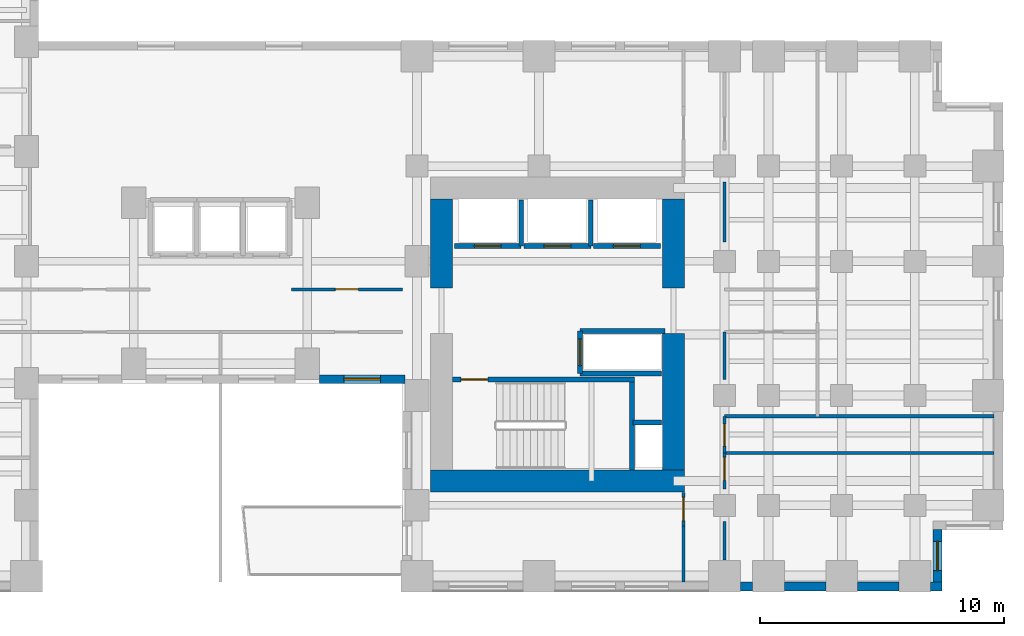
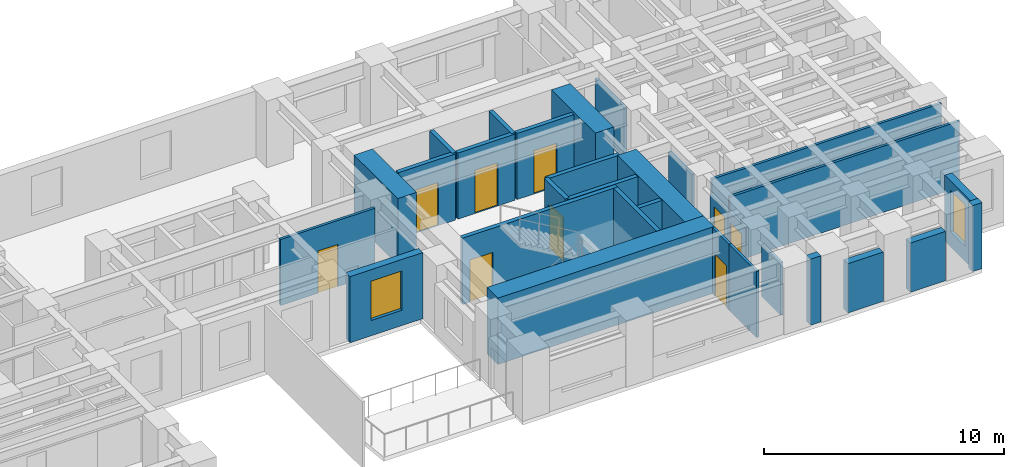
# One storey, part 7 of 13: 31 walls, 9 doors, 2 windows, 11 openings.
"""IFC4 building model written with IfcOpenShell, lengths in metres."""

from ifc_helpers import new_model, si_unit, direction, frame, frame_2d, origin, place, context, subcontext, project, spatial, rectangle, extrude, source, transform, mapped, material, layer, layer_set, type_object, element, fill, save


model = new_model("IFC4")

# Units and contexts
model_context = context("Model", 3, precision=1e-05, world=origin(), true_north=direction((0.0, 1.0)))
body_context = subcontext(model_context, "Body", "Model", "MODEL_VIEW")
ifc_project = project(units=[si_unit("LENGTHUNIT", "METRE"), si_unit("AREAUNIT", "SQUARE_METRE"), si_unit("VOLUMEUNIT", "CUBIC_METRE"), si_unit("PLANEANGLEUNIT", "RADIAN"), si_unit("MASSUNIT", "GRAM", prefix="KILO")], contexts=[model_context])

# Site, building, storey
site_placement = place(None, origin())
site = spatial("IfcSite", under=ifc_project, at=site_placement, CompositionType="ELEMENT")
building_placement = place(site_placement, origin())
building = spatial("IfcBuilding", under=site, at=building_placement, Name="Kharzan Plaza Tower", CompositionType="ELEMENT")
storey_placement = place(building_placement, frame((0.0, 0.0, 47.699951171875)))
storey = spatial("IfcBuildingStorey", under=building, at=storey_placement, Name="L12", CompositionType="ELEMENT", Elevation=47.699951171875)

# Wall, opening, window
ifc_material_1 = material(Name="Concrete C40/50", Category="concrete")
ifc_layer_1 = layer(ifc_material_1, 0.35009765625)
ifc_layer_set_1 = layer_set([ifc_layer_1], Name="Concrete C40/50")
wall_type_1 = type_object("IfcWallType", Name="WL-EXT-MAS-Z1", PredefinedType="SOLIDWALL", material=ifc_layer_set_1)
wall_1_placement = place(storey_placement, frame((30.998046875, 8.675048828125, 0.0), z_axis=(0.0, 0.0, 1.0), x_axis=(1.0, 0.0, 0.0)))
wall_1 = element("IfcWall", 1, at=wall_1_placement, inside=storey, type_object=wall_type_1, Name="L12 Masonry-Frame Exterior Wall 30", PredefinedType="SOLIDWALL", context=body_context, shape_type="SweptSolid", body=[
    extrude(rectangle(XDim=3.50390625, YDim=0.35009765625, at=frame_2d((1.751953125, 0.0))), origin(), (0.0, 0.0, 1.0), 3.364990234375),
])
opening_1_placement = place(wall_1_placement, frame((1.001953125, 0.0, 0.780029296875)))
opening_1 = element("IfcOpeningElement", 2, at=opening_1_placement, cuts=wall_1, Name="Opening W5", PredefinedType="OPENING", context=body_context, shape_type="SweptSolid", body=[
    extrude(rectangle(XDim=1.5, YDim=2.0, at=frame_2d((0.75, 1.0))), frame((0.0, 0.18505859375, 0.0), z_axis=(0.0, -1.0, 0.0), x_axis=(1.0, 0.0, 0.0)), (0.0, 0.0, 1.0), 0.3701171875),
])
ifc_material_2 = material(Name="Low-E Double Glazing", Category="glass")
window_type_1 = type_object("IfcWindowType", Name="WN-SLT-1500x2000", PartitioningType="SINGLE_PANEL", PredefinedType="WINDOW", material=ifc_material_2)
shared_shape_1 = source(origin(), body_context, "Body", "SweptSolid", [
    extrude(rectangle(XDim=1.5, YDim=2.0, at=frame_2d((0.75, 1.0))), frame((0.0, 0.030029296875, 0.0), z_axis=(0.0, -1.0, 0.0), x_axis=(1.0, 0.0, 0.0)), (0.0, 0.0, 1.0), 0.06005859375),
])
window_1_placement = place(opening_1_placement, origin())
window_1 = element("IfcWindow", 3, at=window_1_placement, inside=storey, type_object=window_type_1, Name="L12 Recessed Solar-Control Window 30-1", OverallHeight=2.0, OverallWidth=1.5, PartitioningType="SINGLE_PANEL", PredefinedType="WINDOW", context=body_context, shape_type="MappedRepresentation", body=[
    mapped(shared_shape_1, transform((0.0, 0.0, 0.0), x_axis=(1.0, 0.0, 0.0), y_axis=(0.0, 1.0, 0.0), z_axis=(0.0, 0.0, 1.0))),
])
fill(opening_1, window_1)

wall_2_placement = place(storey_placement, frame((56.324951171875, 0.347900390625, 0.0), z_axis=(0.0, 0.0, 1.0), x_axis=(0.0, 1.0, 0.0)))
wall_2 = element("IfcWall", 4, at=wall_2_placement, inside=storey, type_object=wall_type_1, Name="L12 Masonry-Frame Exterior Wall 39", PredefinedType="SOLIDWALL", context=body_context, shape_type="SweptSolid", body=[
    extrude(rectangle(XDim=2.154052734375, YDim=0.35009765625, at=frame_2d((1.0771484375, 0.0))), origin(), (0.0, 0.0, 1.0), 3.364990234375),
])
opening_2_placement = place(wall_2_placement, frame((0.47705078125, 0.0, 0.780029296875)))
opening_2 = element("IfcOpeningElement", 5, at=opening_2_placement, cuts=wall_2, Name="Opening W3", PredefinedType="OPENING", context=body_context, shape_type="SweptSolid", body=[
    extrude(rectangle(XDim=1.199951171875, YDim=2.10009765625, at=frame_2d((0.60009765625, 1.050048828125))), frame((0.0, 0.18505859375, 0.0), z_axis=(0.0, -1.0, 0.0), x_axis=(1.0, 0.0, 0.0)), (0.0, 0.0, 1.0), 0.3701171875),
])
window_type_2 = type_object("IfcWindowType", Name="WN-REC-1200x2100", PartitioningType="SINGLE_PANEL", PredefinedType="WINDOW", material=ifc_material_2)
shared_shape_2 = source(origin(), body_context, "Body", "SweptSolid", [
    extrude(rectangle(XDim=1.199951171875, YDim=2.10009765625, at=frame_2d((0.60009765625, 1.050048828125))), frame((0.0, 0.030029296875, 0.0), z_axis=(0.0, -1.0, 0.0), x_axis=(1.0, 0.0, 0.0)), (0.0, 0.0, 1.0), 0.06005859375),
])
window_2_placement = place(opening_2_placement, origin())
window_2 = element("IfcWindow", 6, at=window_2_placement, inside=storey, type_object=window_type_2, Name="L12 Recessed Solar-Control Window 39-1", OverallHeight=2.10009765625, OverallWidth=1.199951171875, PartitioningType="SINGLE_PANEL", PredefinedType="WINDOW", context=body_context, shape_type="MappedRepresentation", body=[
    mapped(shared_shape_2, transform((0.0, 0.0, 0.0), x_axis=(1.0, 0.0, 0.0), y_axis=(0.0, 1.0, 0.0), z_axis=(0.0, 0.0, 1.0))),
])
fill(opening_2, window_2)

# Wall, opening, door
ifc_material_3 = material(Name="Fire-Rated Gypsum Board Partition", Category="gypsum")
ifc_layer_2 = layer(ifc_material_3, 0.125)
ifc_layer_set_2 = layer_set([ifc_layer_2], Name="Fire-Rated Gypsum Board Partition")
wall_type_2 = type_object("IfcWallType", Name="WL-INT-PART-125", PredefinedType="PARTITIONING", material=ifc_layer_set_2)
wall_3_placement = place(storey_placement, frame((47.60009765625, 4.159912109375, 0.0), z_axis=(0.0, 0.0, 1.0), x_axis=(0.0, 1.0, 0.0)))
wall_3 = element("IfcWall", 7, at=wall_3_placement, inside=storey, type_object=wall_type_2, Name="L12 Interior Partition SH-B2W0", PredefinedType="PARTITIONING", context=body_context, shape_type="SweptSolid", body=[
    extrude(rectangle(XDim=1.489990234375, YDim=0.125, at=frame_2d((0.7451171875, 0.0))), origin(), (0.0, 0.0, 1.0), 2.670166015625),
])
opening_3_placement = place(wall_3_placement, frame((0.360107421875, 0.0, 0.0)))
opening_3 = element("IfcOpeningElement", 8, at=opening_3_placement, cuts=wall_3, Name="Opening OD1", PredefinedType="OPENING", context=body_context, shape_type="SweptSolid", body=[
    extrude(rectangle(XDim=0.949951171875, YDim=2.14990234375, at=frame_2d((0.47509765625, 1.074951171875))), frame((0.0, 0.072509765625, 0.0), z_axis=(0.0, -1.0, 0.0), x_axis=(1.0, 0.0, 0.0)), (0.0, 0.0, 1.0), 0.14501953125),
])
ifc_material_4 = material(Name="Acoustic Solid-Core Stained Oak", Category="timber")
door_type_1 = type_object("IfcDoorType", Name="DR-OFF-SINGLE", OperationType="NOTDEFINED", PredefinedType="DOOR", material=ifc_material_4)
shared_shape_3 = source(origin(), body_context, "Body", "SweptSolid", [
    extrude(rectangle(XDim=0.949951171875, YDim=2.14990234375, at=frame_2d((0.47509765625, 1.074951171875))), frame((0.0, 0.02490234375, 0.0), z_axis=(0.0, -1.0, 0.0), x_axis=(1.0, 0.0, 0.0)), (0.0, 0.0, 1.0), 0.050048828125),
])
door_1_placement = place(opening_3_placement, origin())
door_1 = element("IfcDoor", 9, at=door_1_placement, inside=storey, type_object=door_type_1, Name="L12 Wing B South Office Door", OperationType="SINGLE_SWING_RIGHT", OverallHeight=2.14990234375, OverallWidth=0.949951171875, PredefinedType="DOOR", context=body_context, shape_type="MappedRepresentation", body=[
    mapped(shared_shape_3, transform((0.0, 0.0, 0.0), x_axis=(1.0, 0.0, 0.0), y_axis=(0.0, 1.0, 0.0), z_axis=(0.0, 0.0, 1.0))),
])
fill(opening_3, door_1)

wall_4_placement = place(storey_placement, frame((47.60009765625, 5.64990234375, 0.0), z_axis=(0.0, 0.0, 1.0), x_axis=(0.0, 1.0, 0.0)))
wall_4 = element("IfcWall", 10, at=wall_4_placement, inside=storey, type_object=wall_type_2, Name="L12 Interior Partition SH-B2WC", PredefinedType="PARTITIONING", context=body_context, shape_type="SweptSolid", body=[
    extrude(rectangle(XDim=1.5, YDim=0.125, at=frame_2d((0.75, 0.0))), origin(), (0.0, 0.0, 1.0), 2.670166015625),
])
opening_4_placement = place(wall_4_placement, frame((0.27490234375, 0.0, 0.0)))
opening_4 = element("IfcOpeningElement", 11, at=opening_4_placement, cuts=wall_4, Name="Opening WD1", PredefinedType="OPENING", context=body_context, shape_type="SweptSolid", body=[
    extrude(rectangle(XDim=0.89990234375, YDim=2.14990234375, at=frame_2d((0.449951171875, 1.074951171875))), frame((0.0, 0.072509765625, 0.0), z_axis=(0.0, -1.0, 0.0), x_axis=(1.0, 0.0, 0.0)), (0.0, 0.0, 1.0), 0.14501953125),
])
ifc_material_5 = material(Name="Moisture-Resistant Fire-Rated Laminate", Category="timber")
door_type_2 = type_object("IfcDoorType", Name="DR-WC-900", OperationType="NOTDEFINED", PredefinedType="DOOR", material=ifc_material_5)
shared_shape_4 = source(origin(), body_context, "Body", "SweptSolid", [
    extrude(rectangle(XDim=0.89990234375, YDim=2.14990234375, at=frame_2d((0.449951171875, 1.074951171875))), frame((0.0, 0.02490234375, 0.0), z_axis=(0.0, -1.0, 0.0), x_axis=(1.0, 0.0, 0.0)), (0.0, 0.0, 1.0), 0.050048828125),
])
door_2_placement = place(opening_4_placement, origin())
door_2 = element("IfcDoor", 12, at=door_2_placement, inside=storey, type_object=door_type_2, Name="L12 Wing B Washroom Door", OperationType="SINGLE_SWING_LEFT", OverallHeight=2.14990234375, OverallWidth=0.89990234375, PredefinedType="DOOR", context=body_context, shape_type="MappedRepresentation", body=[
    mapped(shared_shape_4, transform((0.0, 0.0, 0.0), x_axis=(1.0, 0.0, 0.0), y_axis=(0.0, 1.0, 0.0), z_axis=(0.0, 0.0, 1.0))),
])
fill(opening_4, door_2)

wall_5_placement = place(storey_placement, frame((45.919921875, 2.64990234375, 0.0), z_axis=(0.0, 0.0, 1.0), x_axis=(0.0, 1.0, 0.0)))
wall_5 = element("IfcWall", 13, at=wall_5_placement, inside=storey, type_object=wall_type_2, Name="L12 Interior Partition SH-RBSE", PredefinedType="PARTITIONING", context=body_context, shape_type="SweptSolid", body=[
    extrude(rectangle(XDim=1.3701171875, YDim=0.125, at=frame_2d((0.68505859375, 0.0))), origin(), (0.0, 0.0, 1.0), 3.364990234375),
])
opening_5_placement = place(wall_5_placement, frame((0.22509765625, 0.0, 0.0)))
opening_5 = element("IfcOpeningElement", 14, at=opening_5_placement, cuts=wall_5, Name="Opening OD1", PredefinedType="OPENING", context=body_context, shape_type="SweptSolid", body=[
    extrude(rectangle(XDim=0.949951171875, YDim=2.14990234375, at=frame_2d((0.47509765625, 1.074951171875))), frame((0.0, 0.072509765625, 0.0), z_axis=(0.0, -1.0, 0.0), x_axis=(1.0, 0.0, 0.0)), (0.0, 0.0, 1.0), 0.14501953125),
])
door_3_placement = place(opening_5_placement, origin())
door_3 = element("IfcDoor", 15, at=door_3_placement, inside=storey, type_object=door_type_1, Name="L12 South-East Corner Office Door", OperationType="SINGLE_SWING_LEFT", OverallHeight=2.14990234375, OverallWidth=0.949951171875, PredefinedType="DOOR", context=body_context, shape_type="MappedRepresentation", body=[
    mapped(shared_shape_3, transform((0.0, 0.0, 0.0), x_axis=(1.0, 0.0, 0.0), y_axis=(0.0, 1.0, 0.0), z_axis=(0.0, 0.0, 1.0))),
])
fill(opening_5, door_3)

wall_6_placement = place(storey_placement, frame((29.85009765625, 12.35009765625, 0.0), z_axis=(0.0, 0.0, 1.0), x_axis=(1.0, 0.0, 0.0)))
wall_6 = element("IfcWall", 16, at=wall_6_placement, inside=storey, type_object=wall_type_2, Name="L12 Interior Partition SH-SPNE1", PredefinedType="PARTITIONING", context=body_context, shape_type="SweptSolid", body=[
    extrude(rectangle(XDim=4.5498046875, YDim=0.125, at=frame_2d((2.27490234375, 0.0))), origin(), (0.0, 0.0, 1.0), 3.364990234375),
])
opening_6_placement = place(wall_6_placement, frame((1.800048828125, 0.0, 0.0)))
opening_6 = element("IfcOpeningElement", 17, at=opening_6_placement, cuts=wall_6, Name="Opening OD1", PredefinedType="OPENING", context=body_context, shape_type="SweptSolid", body=[
    extrude(rectangle(XDim=0.949951171875, YDim=2.14990234375, at=frame_2d((0.47509765625, 1.074951171875))), frame((0.0, 0.072509765625, 0.0), z_axis=(0.0, -1.0, 0.0), x_axis=(1.0, 0.0, 0.0)), (0.0, 0.0, 1.0), 0.14501953125),
])
door_4_placement = place(opening_6_placement, origin())
door_4 = element("IfcDoor", 18, at=door_4_placement, inside=storey, type_object=door_type_1, Name="L12 North-East Spine Door", OperationType="SINGLE_SWING_RIGHT", OverallHeight=2.14990234375, OverallWidth=0.949951171875, PredefinedType="DOOR", context=body_context, shape_type="MappedRepresentation", body=[
    mapped(shared_shape_3, transform((0.0, 0.0, 0.0), x_axis=(1.0, 0.0, 0.0), y_axis=(0.0, 1.0, 0.0), z_axis=(0.0, 0.0, 1.0))),
])
fill(opening_6, door_4)

ifc_layer_3 = layer(ifc_material_1, 0.199951171875)
ifc_layer_set_3 = layer_set([ifc_layer_3], Name="Concrete C40/50")
wall_type_3 = type_object("IfcWallType", Name="WL-INT-SHAFT-200", PredefinedType="PARTITIONING", material=ifc_layer_set_3)
wall_7_placement = place(storey_placement, frame((36.530029296875, 14.1298828125, 0.0), z_axis=(0.0, 0.0, 1.0), x_axis=(1.0, 0.0, 0.0)))
wall_7 = element("IfcWall", 19, at=wall_7_placement, inside=storey, type_object=wall_type_3, Name="L12 Interior Partition SHF-PL-L1-S", PredefinedType="PARTITIONING", context=body_context, shape_type="SweptSolid", body=[
    extrude(rectangle(XDim=2.739990234375, YDim=0.199951171875, at=frame_2d((1.3701171875, 0.0))), origin(), (0.0, 0.0, 1.0), 3.364990234375),
])
opening_7_placement = place(wall_7_placement, frame((0.820068359375, 0.0, 0.0)))
opening_7 = element("IfcOpeningElement", 20, at=opening_7_placement, cuts=wall_7, Name="Opening LD", PredefinedType="OPENING", context=body_context, shape_type="SweptSolid", body=[
    extrude(rectangle(XDim=1.10009765625, YDim=2.199951171875, at=frame_2d((0.550048828125, 1.10009765625))), frame((0.0, 0.10986328125, 0.0), z_axis=(0.0, -1.0, 0.0), x_axis=(1.0, 0.0, 0.0)), (0.0, 0.0, 1.0), 0.219970703125),
])
ifc_material_6 = material(Name="Brushed Stainless Steel", Category="steel")
door_type_3 = type_object("IfcDoorType", Name="DR-LIFT-SLIDE", OperationType="SLIDING_TO_LEFT", PredefinedType="DOOR", material=ifc_material_6)
shared_shape_5 = source(origin(), body_context, "Body", "SweptSolid", [
    extrude(rectangle(XDim=1.10009765625, YDim=2.199951171875, at=frame_2d((0.550048828125, 1.10009765625))), frame((0.0, 0.02490234375, 0.0), z_axis=(0.0, -1.0, 0.0), x_axis=(1.0, 0.0, 0.0)), (0.0, 0.0, 1.0), 0.050048828125),
])
door_5_placement = place(opening_7_placement, origin())
door_5 = element("IfcDoor", 21, at=door_5_placement, inside=storey, type_object=door_type_3, Name="L12 Low-Rise Passenger Lift PL-L1 Sliding Landing Door", OperationType="SLIDING_TO_LEFT", OverallHeight=2.199951171875, OverallWidth=1.10009765625, PredefinedType="DOOR", context=body_context, shape_type="MappedRepresentation", body=[
    mapped(shared_shape_5, transform((0.0, 0.0, 0.0), x_axis=(1.0, 0.0, 0.0), y_axis=(0.0, 1.0, 0.0), z_axis=(0.0, 0.0, 1.0))),
])
fill(opening_7, door_5)

wall_8_placement = place(storey_placement, frame((39.3798828125, 14.1298828125, 0.0), z_axis=(0.0, 0.0, 1.0), x_axis=(1.0, 0.0, 0.0)))
wall_8 = element("IfcWall", 22, at=wall_8_placement, inside=storey, type_object=wall_type_3, Name="L12 Interior Partition SHF-PL-L2-S", PredefinedType="PARTITIONING", context=body_context, shape_type="SweptSolid", body=[
    extrude(rectangle(XDim=2.740234375, YDim=0.199951171875, at=frame_2d((1.3701171875, 0.0))), origin(), (0.0, 0.0, 1.0), 3.364990234375),
])
opening_8_placement = place(wall_8_placement, frame((0.820068359375, 0.0, 0.0)))
opening_8 = element("IfcOpeningElement", 23, at=opening_8_placement, cuts=wall_8, Name="Opening LD", PredefinedType="OPENING", context=body_context, shape_type="SweptSolid", body=[
    extrude(rectangle(XDim=1.10009765625, YDim=2.199951171875, at=frame_2d((0.550048828125, 1.10009765625))), frame((0.0, 0.10986328125, 0.0), z_axis=(0.0, -1.0, 0.0), x_axis=(1.0, 0.0, 0.0)), (0.0, 0.0, 1.0), 0.219970703125),
])
door_6_placement = place(opening_8_placement, origin())
door_6 = element("IfcDoor", 24, at=door_6_placement, inside=storey, type_object=door_type_3, Name="L12 Low-Rise Passenger Lift PL-L2 Sliding Landing Door", OperationType="SLIDING_TO_LEFT", OverallHeight=2.199951171875, OverallWidth=1.10009765625, PredefinedType="DOOR", context=body_context, shape_type="MappedRepresentation", body=[
    mapped(shared_shape_5, transform((0.0, 0.0, 0.0), x_axis=(1.0, 0.0, 0.0), y_axis=(0.0, 1.0, 0.0), z_axis=(0.0, 0.0, 1.0))),
])
fill(opening_8, door_6)

wall_9_placement = place(storey_placement, frame((42.22998046875, 14.1298828125, 0.0), z_axis=(0.0, 0.0, 1.0), x_axis=(1.0, 0.0, 0.0)))
wall_9 = element("IfcWall", 25, at=wall_9_placement, inside=storey, type_object=wall_type_3, Name="L12 Interior Partition SHF-PL-L3-S", PredefinedType="PARTITIONING", context=body_context, shape_type="SweptSolid", body=[
    extrude(rectangle(XDim=2.739990234375, YDim=0.199951171875, at=frame_2d((1.3701171875, 0.0))), origin(), (0.0, 0.0, 1.0), 3.364990234375),
])
opening_9_placement = place(wall_9_placement, frame((0.820068359375, 0.0, 0.0)))
opening_9 = element("IfcOpeningElement", 26, at=opening_9_placement, cuts=wall_9, Name="Opening LD", PredefinedType="OPENING", context=body_context, shape_type="SweptSolid", body=[
    extrude(rectangle(XDim=1.10009765625, YDim=2.199951171875, at=frame_2d((0.550048828125, 1.10009765625))), frame((0.0, 0.10986328125, 0.0), z_axis=(0.0, -1.0, 0.0), x_axis=(1.0, 0.0, 0.0)), (0.0, 0.0, 1.0), 0.219970703125),
])
door_7_placement = place(opening_9_placement, origin())
door_7 = element("IfcDoor", 27, at=door_7_placement, inside=storey, type_object=door_type_3, Name="L12 Low-Rise Passenger Lift PL-L3 Sliding Landing Door", OperationType="SLIDING_TO_LEFT", OverallHeight=2.199951171875, OverallWidth=1.10009765625, PredefinedType="DOOR", context=body_context, shape_type="MappedRepresentation", body=[
    mapped(shared_shape_5, transform((0.0, 0.0, 0.0), x_axis=(1.0, 0.0, 0.0), y_axis=(0.0, 1.0, 0.0), z_axis=(0.0, 0.0, 1.0))),
])
fill(opening_9, door_7)

wall_10_placement = place(storey_placement, frame((41.679931640625, 8.89990234375, 0.0), z_axis=(0.0, 0.0, 1.0), x_axis=(0.0, 1.0, 0.0)))
wall_10 = element("IfcWall", 28, at=wall_10_placement, inside=storey, type_object=wall_type_3, Name="L12 Interior Partition SHF-SVL-2-W", PredefinedType="PARTITIONING", context=body_context, shape_type="SweptSolid", body=[
    extrude(rectangle(XDim=1.739990234375, YDim=0.199951171875, at=frame_2d((0.8701171875, 0.0))), origin(), (0.0, 0.0, 1.0), 3.364990234375),
])
opening_10_placement = place(wall_10_placement, frame((0.320068359375, 0.0, 0.0)))
opening_10 = element("IfcOpeningElement", 29, at=opening_10_placement, cuts=wall_10, Name="Opening LD", PredefinedType="OPENING", context=body_context, shape_type="SweptSolid", body=[
    extrude(rectangle(XDim=1.10009765625, YDim=2.199951171875, at=frame_2d((0.550048828125, 1.10009765625))), frame((0.0, 0.10986328125, 0.0), z_axis=(0.0, -1.0, 0.0), x_axis=(1.0, 0.0, 0.0)), (0.0, 0.0, 1.0), 0.219970703125),
])
door_8_placement = place(opening_10_placement, origin())
door_8 = element("IfcDoor", 30, at=door_8_placement, inside=storey, type_object=door_type_3, Name="L12 Service Lift SVL-2 Sliding Landing Door", OperationType="SLIDING_TO_LEFT", OverallHeight=2.199951171875, OverallWidth=1.10009765625, PredefinedType="DOOR", context=body_context, shape_type="MappedRepresentation", body=[
    mapped(shared_shape_5, transform((0.0, 0.0, 0.0), x_axis=(1.0, 0.0, 0.0), y_axis=(0.0, 1.0, 0.0), z_axis=(0.0, 0.0, 1.0))),
])
fill(opening_10, door_8)

ifc_material_7 = material(Name="Concrete C50/60", Category="concrete")
ifc_layer_4 = layer(ifc_material_7, 0.199951171875)
ifc_layer_set_4 = layer_set([ifc_layer_4], Name="Concrete C50/60")
wall_type_4 = type_object("IfcWallType", Name="WL-SHAFT-RC200", PredefinedType="SHEAR", material=ifc_layer_set_4)
wall_11_placement = place(storey_placement, frame((36.451904296875, 8.655029296875, 0.0), z_axis=(0.0, 0.0, 1.0), x_axis=(1.0, 0.0, 0.0)))
wall_11 = element("IfcWall", 31, at=wall_11_placement, inside=storey, type_object=wall_type_4, Name="L12 Stair ST-3 North RC Shaft Wall", PredefinedType="SHEAR", context=body_context, shape_type="SweptSolid", body=[
    extrude(rectangle(XDim=7.453125, YDim=0.199951171875, at=frame_2d((3.7265625, 0.0))), origin(), (0.0, 0.0, 1.0), 3.380126953125),
])
opening_11_placement = place(wall_11_placement, frame((0.35009765625, 0.0, 0.0)))
opening_11 = element("IfcOpeningElement", 32, at=opening_11_placement, cuts=wall_11, Name="Opening SD1", PredefinedType="OPENING", context=body_context, shape_type="SweptSolid", body=[
    extrude(rectangle(XDim=1.10009765625, YDim=2.14990234375, at=frame_2d((0.550048828125, 1.074951171875))), frame((0.0, 0.10986328125, 0.0), z_axis=(0.0, -1.0, 0.0), x_axis=(1.0, 0.0, 0.0)), (0.0, 0.0, 1.0), 0.219970703125),
])
ifc_material_8 = material(Name="Fire-Rated Hollow Galvanized Steel", Category="steel")
door_type_4 = type_object("IfcDoorType", Name="DR-STAIR-FD120", OperationType="NOTDEFINED", PredefinedType="DOOR", material=ifc_material_8)
shared_shape_6 = source(origin(), body_context, "Body", "SweptSolid", [
    extrude(rectangle(XDim=1.10009765625, YDim=2.14990234375, at=frame_2d((0.550048828125, 1.074951171875))), frame((0.0, 0.02490234375, 0.0), z_axis=(0.0, -1.0, 0.0), x_axis=(1.0, 0.0, 0.0)), (0.0, 0.0, 1.0), 0.050048828125),
])
door_9_placement = place(opening_11_placement, origin())
door_9 = element("IfcDoor", 33, at=door_9_placement, inside=storey, type_object=door_type_4, Name="L12 Stair ST-3 Fire Exit Door", OperationType="SINGLE_SWING_LEFT", OverallHeight=2.14990234375, OverallWidth=1.10009765625, PredefinedType="DOOR", context=body_context, shape_type="MappedRepresentation", body=[
    mapped(shared_shape_6, transform((0.0, 0.0, 0.0), x_axis=(1.0, 0.0, 0.0), y_axis=(0.0, 1.0, 0.0), z_axis=(0.0, 0.0, 1.0))),
])
fill(opening_11, door_9)

# Walls
shared_shape_7 = source(origin(), body_context, "Body", "SweptSolid", [
    extrude(rectangle(XDim=0.50390625, YDim=0.35009765625, at=frame_2d((0.251953125, 0.0))), origin(), (0.0, 0.0, 1.0), 3.364990234375),
])
wall_12_placement = place(storey_placement, frame((48.248046875, 0.175048828125, 0.0), z_axis=(0.0, 0.0, 1.0), x_axis=(1.0, 0.0, 0.0)))
element("IfcWall", 34, at=wall_12_placement, inside=storey, type_object=wall_type_1, Name="L12 Masonry-Frame Exterior Wall 35", PredefinedType="SOLIDWALL", context=body_context, shape_type="MappedRepresentation", body=[
    mapped(shared_shape_7, transform((0.0, 0.0, 0.0), x_axis=(1.0, 0.0, 0.0), y_axis=(0.0, 1.0, 0.0), z_axis=(0.0, 0.0, 1.0))),
])
shared_shape_8 = source(origin(), body_context, "Body", "SweptSolid", [
    extrude(rectangle(XDim=1.703857421875, YDim=0.35009765625, at=frame_2d((0.85205078125, 0.0))), origin(), (0.0, 0.0, 1.0), 2.510009765625),
])
for number, where, z_axis, x_axis, name in (
    (35, (50.048095703125, 0.175048828125, 0.0), (0.0, 0.0, 1.0), (1.0, 0.0, 0.0), "L12 Masonry-Frame Exterior Wall 36"),
    (36, (53.048095703125, 0.175048828125, 0.0), (0.0, 0.0, 1.0), (1.0, 0.0, 0.0), "L12 Masonry-Frame Exterior Wall 37"),
):
    element("IfcWall", number, at=place(storey_placement, frame(where, z_axis=z_axis, x_axis=x_axis)), inside=storey, type_object=wall_type_1, Name=name, PredefinedType="SOLIDWALL", context=body_context, shape_type="MappedRepresentation", body=[
        mapped(shared_shape_8, transform((0.0, 0.0, 0.0), x_axis=(1.0, 0.0, 0.0), y_axis=(0.0, 1.0, 0.0), z_axis=(0.0, 0.0, 1.0))),
    ])
shared_shape_9 = source(origin(), body_context, "Body", "SweptSolid", [
    extrude(rectangle(XDim=0.451904296875, YDim=0.35009765625, at=frame_2d((0.22607421875, 0.0))), origin(), (0.0, 0.0, 1.0), 3.364990234375),
])
wall_13_placement = place(storey_placement, frame((56.048095703125, 0.175048828125, 0.0), z_axis=(0.0, 0.0, 1.0), x_axis=(1.0, 0.0, 0.0)))
element("IfcWall", 37, at=wall_13_placement, inside=storey, type_object=wall_type_1, Name="L12 Masonry-Frame Exterior Wall 38", PredefinedType="SOLIDWALL", context=body_context, shape_type="MappedRepresentation", body=[
    mapped(shared_shape_9, transform((0.0, 0.0, 0.0), x_axis=(1.0, 0.0, 0.0), y_axis=(0.0, 1.0, 0.0), z_axis=(0.0, 0.0, 1.0))),
])
shared_shape_10 = source(origin(), body_context, "Body", "SweptSolid", [
    extrude(rectangle(XDim=11.0478515625, YDim=0.125, at=frame_2d((5.52392578125, 0.0))), origin(), (0.0, 0.0, 1.0), 3.364990234375),
])
for number, where, z_axis, x_axis, name in (
    (38, (47.60009765625, 5.64990234375, 0.0), (0.0, 0.0, 1.0), (1.0, 0.0, 0.0), "L12 Interior Partition SH-B2H1"),
    (39, (47.60009765625, 7.14990234375, 0.0), (0.0, 0.0, 1.0), (1.0, 0.0, 0.0), "L12 Interior Partition SH-B2H2"),
):
    element("IfcWall", number, at=place(storey_placement, frame(where, z_axis=z_axis, x_axis=x_axis)), inside=storey, type_object=wall_type_2, Name=name, PredefinedType="PARTITIONING", context=body_context, shape_type="MappedRepresentation", body=[
        mapped(shared_shape_10, transform((0.0, 0.0, 0.0), x_axis=(1.0, 0.0, 0.0), y_axis=(0.0, 1.0, 0.0), z_axis=(0.0, 0.0, 1.0))),
    ])
shared_shape_11 = source(origin(), body_context, "Body", "SweptSolid", [
    extrude(rectangle(XDim=2.2978515625, YDim=0.125, at=frame_2d((1.14892578125, 0.0))), origin(), (0.0, 0.0, 1.0), 3.364990234375),
])
wall_14_placement = place(storey_placement, frame((45.919921875, 0.35205078125, 0.0), z_axis=(0.0, 0.0, 1.0), x_axis=(0.0, 1.0, 0.0)))
element("IfcWall", 40, at=wall_14_placement, inside=storey, type_object=wall_type_2, Name="L12 Interior Partition SH-RBSE0", PredefinedType="PARTITIONING", context=body_context, shape_type="MappedRepresentation", body=[
    mapped(shared_shape_11, transform((0.0, 0.0, 0.0), x_axis=(1.0, 0.0, 0.0), y_axis=(0.0, 1.0, 0.0), z_axis=(0.0, 0.0, 1.0))),
])
shared_shape_12 = source(origin(), body_context, "Body", "SweptSolid", [
    extrude(rectangle(XDim=1.169921875, YDim=0.199951171875, at=frame_2d((0.5849609375, 0.0))), origin(), (0.0, 0.0, 1.0), 3.364990234375),
])
wall_15_placement = place(storey_placement, frame((43.85009765625, 6.89990234375, 0.0), z_axis=(0.0, 0.0, 1.0), x_axis=(1.0, 0.0, 0.0)))
element("IfcWall", 41, at=wall_15_placement, inside=storey, type_object=wall_type_3, Name="L12 Interior Partition CB-RSRB-N", PredefinedType="PARTITIONING", context=body_context, shape_type="MappedRepresentation", body=[
    mapped(shared_shape_12, transform((0.0, 0.0, 0.0), x_axis=(1.0, 0.0, 0.0), y_axis=(0.0, 1.0, 0.0), z_axis=(0.0, 0.0, 1.0))),
])
shared_shape_13 = source(origin(), body_context, "Body", "SweptSolid", [
    extrude(rectangle(XDim=1.89013671875, YDim=0.199951171875, at=frame_2d((0.945068359375, 0.0))), origin(), (0.0, 0.0, 1.0), 3.364990234375),
])
for number, where, z_axis, x_axis, name in (
    (42, (39.27001953125, 14.1298828125, 0.0), (0.0, 0.0, 1.0), (0.0, 1.0, 0.0), "L12 Interior Partition SHF-PL-L1-E"),
    (43, (42.1201171875, 14.1298828125, 0.0), (0.0, 0.0, 1.0), (0.0, 1.0, 0.0), "L12 Interior Partition SHF-PL-L2-E"),
):
    element("IfcWall", number, at=place(storey_placement, frame(where, z_axis=z_axis, x_axis=x_axis)), inside=storey, type_object=wall_type_3, Name=name, PredefinedType="PARTITIONING", context=body_context, shape_type="MappedRepresentation", body=[
        mapped(shared_shape_13, transform((0.0, 0.0, 0.0), x_axis=(1.0, 0.0, 0.0), y_axis=(0.0, 1.0, 0.0), z_axis=(0.0, 0.0, 1.0))),
    ])
shared_shape_14 = source(origin(), body_context, "Body", "SweptSolid", [
    extrude(rectangle(XDim=3.489990234375, YDim=0.199951171875, at=frame_2d((1.7451171875, 0.0))), origin(), (0.0, 0.0, 1.0), 3.364990234375),
])
wall_16_placement = place(storey_placement, frame((41.679931640625, 10.639892578125, 0.0), z_axis=(0.0, 0.0, 1.0), x_axis=(1.0, 0.0, 0.0)))
element("IfcWall", 44, at=wall_16_placement, inside=storey, type_object=wall_type_3, Name="L12 Interior Partition SHF-SVL-2-N", PredefinedType="PARTITIONING", context=body_context, shape_type="MappedRepresentation", body=[
    mapped(shared_shape_14, transform((0.0, 0.0, 0.0), x_axis=(1.0, 0.0, 0.0), y_axis=(0.0, 1.0, 0.0), z_axis=(0.0, 0.0, 1.0))),
])
shared_shape_15 = source(origin(), body_context, "Body", "SweptSolid", [
    extrude(rectangle(XDim=3.340087890625, YDim=0.199951171875, at=frame_2d((1.669921875, 0.0))), origin(), (0.0, 0.0, 1.0), 3.364990234375),
])
wall_17_placement = place(storey_placement, frame((41.679931640625, 8.89990234375, 0.0), z_axis=(0.0, 0.0, 1.0), x_axis=(1.0, 0.0, 0.0)))
element("IfcWall", 45, at=wall_17_placement, inside=storey, type_object=wall_type_3, Name="L12 Interior Partition SHF-SVL-2-S", PredefinedType="PARTITIONING", context=body_context, shape_type="MappedRepresentation", body=[
    mapped(shared_shape_15, transform((0.0, 0.0, 0.0), x_axis=(1.0, 0.0, 0.0), y_axis=(0.0, 1.0, 0.0), z_axis=(0.0, 0.0, 1.0))),
])
ifc_material_9 = material(Name="Concrete C60/75", Category="concrete")
ifc_layer_5 = layer(ifc_material_9, 0.89990234375)
ifc_layer_set_5 = layer_set([ifc_layer_5], Name="Concrete C60/75")
wall_type_5 = type_object("IfcWallType", Name="WL-CORE-900", PredefinedType="SHEAR", material=ifc_layer_set_5)
shared_shape_16 = source(origin(), body_context, "Body", "SweptSolid", [
    extrude(rectangle(XDim=5.60009765625, YDim=0.89990234375, at=frame_2d((2.800048828125, 0.0))), origin(), (0.0, 0.0, 1.0), 3.380126953125),
])
wall_18_placement = place(storey_placement, frame((45.5, 4.949951171875, 0.0), z_axis=(0.0, 0.0, 1.0), x_axis=(0.0, 1.0, 0.0)))
element("IfcWall", 46, at=wall_18_placement, inside=storey, type_object=wall_type_5, Name="L12 CORE-B east shear pier 1", PredefinedType="SHEAR", context=body_context, shape_type="MappedRepresentation", body=[
    mapped(shared_shape_16, transform((0.0, 0.0, 0.0), x_axis=(1.0, 0.0, 0.0), y_axis=(0.0, 1.0, 0.0), z_axis=(0.0, 0.0, 1.0))),
])
shared_shape_17 = source(origin(), body_context, "Body", "SweptSolid", [
    extrude(rectangle(XDim=3.650146484375, YDim=0.89990234375, at=frame_2d((1.8251953125, 0.0))), origin(), (0.0, 0.0, 1.0), 3.380126953125),
])
for number, where, z_axis, x_axis, name in (
    (47, (45.5, 12.39990234375, 0.0), (0.0, 0.0, 1.0), (0.0, 1.0, 0.0), "L12 CORE-B east shear pier 2"),
    (48, (36.0, 12.39990234375, 0.0), (0.0, 0.0, 1.0), (0.0, 1.0, 0.0), "L12 CORE-B west shear pier 2"),
):
    element("IfcWall", number, at=place(storey_placement, frame(where, z_axis=z_axis, x_axis=x_axis)), inside=storey, type_object=wall_type_5, Name=name, PredefinedType="SHEAR", context=body_context, shape_type="MappedRepresentation", body=[
        mapped(shared_shape_17, transform((0.0, 0.0, 0.0), x_axis=(1.0, 0.0, 0.0), y_axis=(0.0, 1.0, 0.0), z_axis=(0.0, 0.0, 1.0))),
    ])
shared_shape_18 = source(origin(), body_context, "Body", "SweptSolid", [
    extrude(rectangle(XDim=10.39990234375, YDim=0.89990234375, at=frame_2d((5.199951171875, 0.0))), origin(), (0.0, 0.0, 1.0), 3.380126953125),
])
wall_19_placement = place(storey_placement, frame((35.550048828125, 4.5, 0.0), z_axis=(0.0, 0.0, 1.0), x_axis=(1.0, 0.0, 0.0)))
element("IfcWall", 49, at=wall_19_placement, inside=storey, type_object=wall_type_5, Name="L12 CORE-B south RC shear wall", PredefinedType="SHEAR", context=body_context, shape_type="MappedRepresentation", body=[
    mapped(shared_shape_18, transform((0.0, 0.0, 0.0), x_axis=(1.0, 0.0, 0.0), y_axis=(0.0, 1.0, 0.0), z_axis=(0.0, 0.0, 1.0))),
])
shared_shape_19 = source(origin(), body_context, "Body", "SweptSolid", [
    extrude(rectangle(XDim=3.60302734375, YDim=0.199951171875, at=frame_2d((1.801513671875, 0.0))), origin(), (0.0, 0.0, 1.0), 3.380126953125),
])
wall_20_placement = place(storey_placement, frame((43.804931640625, 4.951904296875, 0.0), z_axis=(0.0, 0.0, 1.0), x_axis=(0.0, 1.0, 0.0)))
element("IfcWall", 50, at=wall_20_placement, inside=storey, type_object=wall_type_4, Name="L12 Stair ST-3 East RC Shaft Wall", PredefinedType="SHEAR", context=body_context, shape_type="MappedRepresentation", body=[
    mapped(shared_shape_19, transform((0.0, 0.0, 0.0), x_axis=(1.0, 0.0, 0.0), y_axis=(0.0, 1.0, 0.0), z_axis=(0.0, 0.0, 1.0))),
])
shared_shape_20 = source(origin(), body_context, "Body", "SweptSolid", [
    extrude(rectangle(XDim=1.580078125, YDim=0.125, at=frame_2d((0.7900390625, 0.0))), origin(), (0.0, 0.0, 1.0), 2.670166015625),
])
wall_21_placement = place(storey_placement, frame((47.60009765625, 1.260009765625, 0.0), z_axis=(0.0, 0.0, 1.0), x_axis=(0.0, 1.0, 0.0)))
element("IfcWall", 51, at=wall_21_placement, inside=storey, type_object=wall_type_2, Name="L12 Interior Partition SH-B2W0S", PredefinedType="PARTITIONING", context=body_context, shape_type="MappedRepresentation", body=[
    mapped(shared_shape_20, transform((0.0, 0.0, 0.0), x_axis=(1.0, 0.0, 0.0), y_axis=(0.0, 1.0, 0.0), z_axis=(0.0, 0.0, 1.0))),
])
shared_shape_21 = source(origin(), body_context, "Body", "SweptSolid", [
    extrude(rectangle(XDim=1.940185546875, YDim=0.125, at=frame_2d((0.97021484375, 0.0))), origin(), (0.0, 0.0, 1.0), 2.670166015625),
])
wall_22_placement = place(storey_placement, frame((47.60009765625, 8.659912109375, 0.0), z_axis=(0.0, 0.0, 1.0), x_axis=(0.0, 1.0, 0.0)))
element("IfcWall", 52, at=wall_22_placement, inside=storey, type_object=wall_type_2, Name="L12 Interior Partition SH-B2W1C", PredefinedType="PARTITIONING", context=body_context, shape_type="MappedRepresentation", body=[
    mapped(shared_shape_21, transform((0.0, 0.0, 0.0), x_axis=(1.0, 0.0, 0.0), y_axis=(0.0, 1.0, 0.0), z_axis=(0.0, 0.0, 1.0))),
])
shared_shape_22 = source(origin(), body_context, "Body", "SweptSolid", [
    extrude(rectangle(XDim=2.43994140625, YDim=0.125, at=frame_2d((1.219970703125, 0.0))), origin(), (0.0, 0.0, 1.0), 2.670166015625),
])
wall_23_placement = place(storey_placement, frame((47.60009765625, 14.300048828125, 0.0), z_axis=(0.0, 0.0, 1.0), x_axis=(0.0, 1.0, 0.0)))
element("IfcWall", 53, at=wall_23_placement, inside=storey, type_object=wall_type_2, Name="L12 Interior Partition SH-B2W3D-S1", PredefinedType="PARTITIONING", context=body_context, shape_type="MappedRepresentation", body=[
    mapped(shared_shape_22, transform((0.0, 0.0, 0.0), x_axis=(1.0, 0.0, 0.0), y_axis=(0.0, 1.0, 0.0), z_axis=(0.0, 0.0, 1.0))),
])

save(model, "model.ifc")
